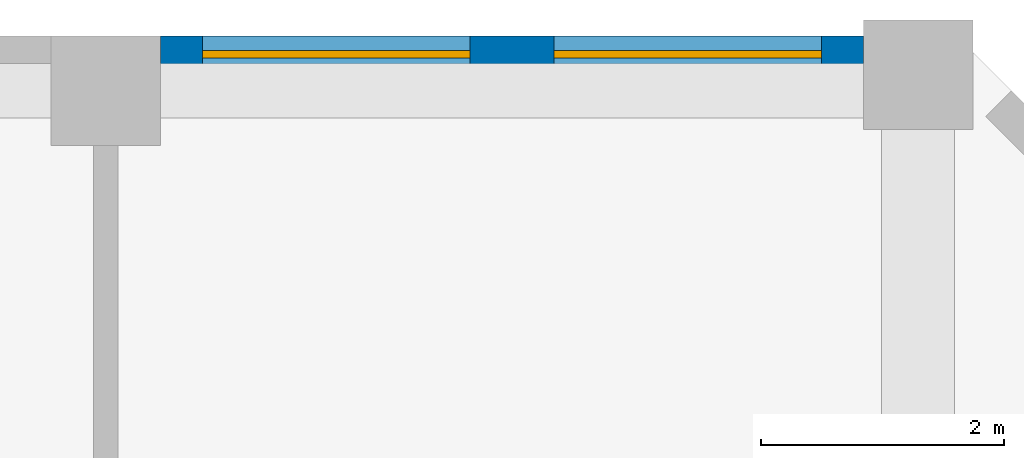
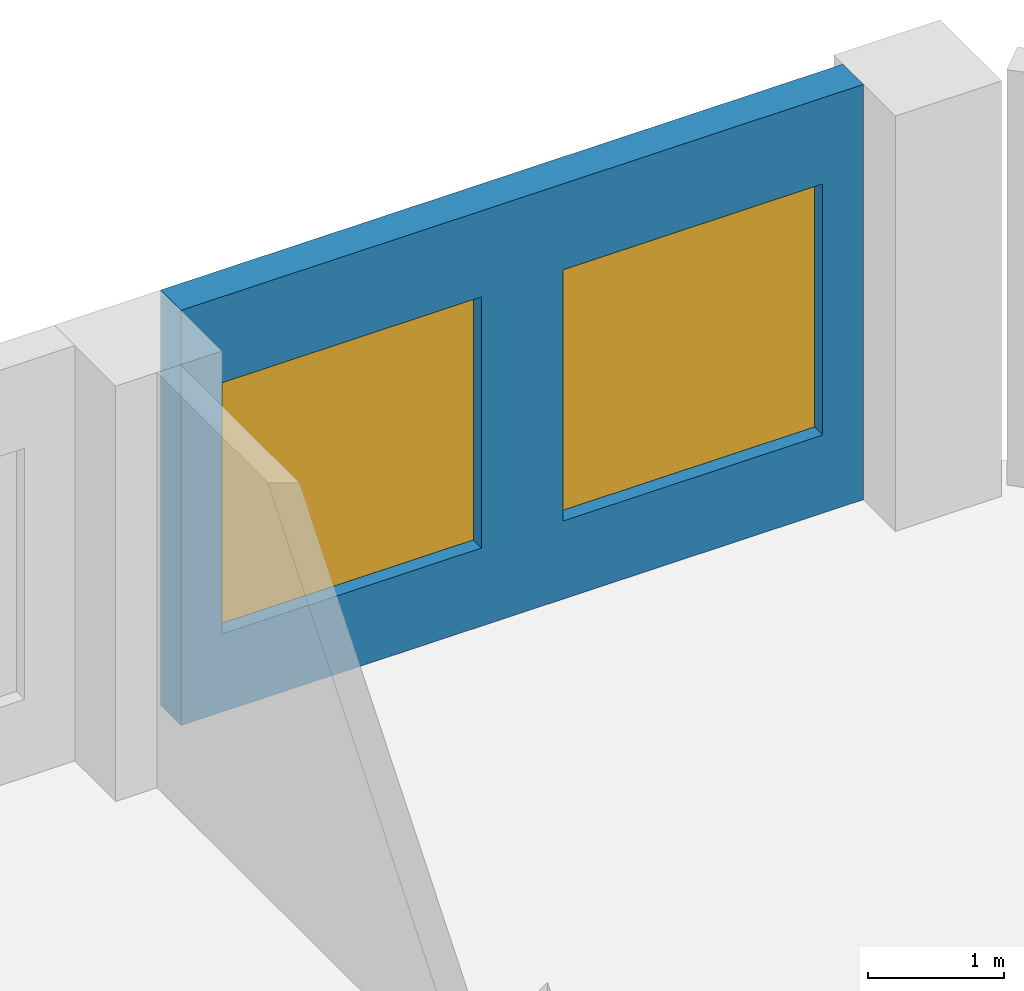
# One storey, part 19 of 29: 2 windows, 1 wall, 2 openings.
"""IFC4 building model written with IfcOpenShell, lengths in metres."""

from ifc_helpers import new_model, si_unit, direction, frame, frame_2d, origin, place, context, subcontext, project, spatial, rectangle, extrude, source, transform, mapped, material, layer, layer_set, type_object, element, fill, save


model = new_model("IFC4")

# Units and contexts
model_context = context("Model", 3, precision=1e-05, world=origin(), true_north=direction((0.0, 1.0)))
body_context = subcontext(model_context, "Body", "Model", "MODEL_VIEW")
ifc_project = project(units=[si_unit("LENGTHUNIT", "METRE"), si_unit("AREAUNIT", "SQUARE_METRE"), si_unit("VOLUMEUNIT", "CUBIC_METRE"), si_unit("PLANEANGLEUNIT", "RADIAN"), si_unit("MASSUNIT", "GRAM", prefix="KILO")], contexts=[model_context])

# Site, building, storey
site_placement = place(None, origin())
site = spatial("IfcSite", under=ifc_project, at=site_placement, CompositionType="ELEMENT")
building_placement = place(site_placement, origin())
building = spatial("IfcBuilding", under=site, at=building_placement, Name="Kilnfold Tower and Market Hall", CompositionType="ELEMENT")
storey_placement = place(building_placement, frame((0.0, 0.0, 79.199951171875)))
storey = spatial("IfcBuildingStorey", under=building, at=storey_placement, Name="L18", CompositionType="ELEMENT", Elevation=79.199951171875)

# Wall, openings, windows
ifc_material_1 = material(Name="Precast concrete C50/60", Category="concrete")
ifc_layer = layer(ifc_material_1, 0.300048828125)
ifc_layer_set = layer_set([ifc_layer], Name="Precast concrete C50/60")
wall_type = type_object("IfcWallType", Name="PRECAST WALL 300", PredefinedType="SOLIDWALL", material=ifc_layer_set)
shared_shape = source(origin(), body_context, "Body", "SweptSolid", [
    extrude(rectangle(XDim=5.78173828125, YDim=0.300048828125, at=frame_2d((2.890869140625, 0.0))), origin(), (0.0, 0.0, 1.0), 3.719970703125),
])
wall_placement = place(storey_placement, frame((28.731689453125, 27.85009765625, 0.0), z_axis=(0.0, 0.0, 1.0), x_axis=(-1.0, 0.0, 0.0)))
wall = element("IfcWall", 1, at=wall_placement, inside=storey, type_object=wall_type, Name="External wall L18 N", PredefinedType="SOLIDWALL", context=body_context, shape_type="MappedRepresentation", body=[
    mapped(shared_shape, transform((0.0, 0.0, 0.0))),
])
opening_1_placement = place(wall_placement, frame((0.345458984375, 0.0, 0.699951171875)))
opening_1 = element("IfcOpeningElement", 2, at=opening_1_placement, cuts=wall, Name="Opening W1", PredefinedType="OPENING", context=body_context, shape_type="SweptSolid", body=[
    extrude(rectangle(XDim=2.199951171875, YDim=2.25, at=frame_2d((1.10009765625, 1.125))), frame((0.0, 0.16015625, 0.0), z_axis=(0.0, -1.0, 0.0), x_axis=(1.0, 0.0, 0.0)), (0.0, 0.0, 1.0), 0.320068359375),
])
opening_2_placement = place(wall_placement, frame((3.236328125, 0.0, 0.699951171875)))
opening_2 = element("IfcOpeningElement", 3, at=opening_2_placement, cuts=wall, Name="Opening W1", PredefinedType="OPENING", context=body_context, shape_type="SweptSolid", body=[
    extrude(rectangle(XDim=2.199951171875, YDim=2.25, at=frame_2d((1.10009765625, 1.125))), frame((0.0, 0.16015625, 0.0), z_axis=(0.0, -1.0, 0.0), x_axis=(1.0, 0.0, 0.0)), (0.0, 0.0, 1.0), 0.320068359375),
])
ifc_material_2 = material(Name="Aluminium frame and double glazing", Category="aluminium")
window_type = type_object("IfcWindowType", Name="WINDOW W1 2200X2250", PartitioningType="SINGLE_PANEL", PredefinedType="WINDOW", material=ifc_material_2)
window_1_placement = place(opening_1_placement, origin())
window_1 = element("IfcWindow", 4, at=window_1_placement, inside=storey, type_object=window_type, Name="Window W1 L18 N-1", OverallHeight=2.25, OverallWidth=2.199951171875, PartitioningType="SINGLE_PANEL", PredefinedType="WINDOW", context=body_context, shape_type="SweptSolid", body=[
    extrude(rectangle(XDim=2.199951171875, YDim=2.25, at=frame_2d((1.10009765625, 1.125))), frame((0.0, 0.030029296875, 0.0), z_axis=(0.0, -1.0, 0.0), x_axis=(1.0, 0.0, 0.0)), (0.0, 0.0, 1.0), 0.06005859375),
])
fill(opening_1, window_1)
window_2_placement = place(opening_2_placement, origin())
window_2 = element("IfcWindow", 5, at=window_2_placement, inside=storey, type_object=window_type, Name="Window W1 L18 N-2", OverallHeight=2.25, OverallWidth=2.199951171875, PartitioningType="SINGLE_PANEL", PredefinedType="WINDOW", context=body_context, shape_type="SweptSolid", body=[
    extrude(rectangle(XDim=2.199951171875, YDim=2.25, at=frame_2d((1.10009765625, 1.125))), frame((0.0, 0.030029296875, 0.0), z_axis=(0.0, -1.0, 0.0), x_axis=(1.0, 0.0, 0.0)), (0.0, 0.0, 1.0), 0.06005859375),
])
fill(opening_2, window_2)

save(model, "model.ifc")
